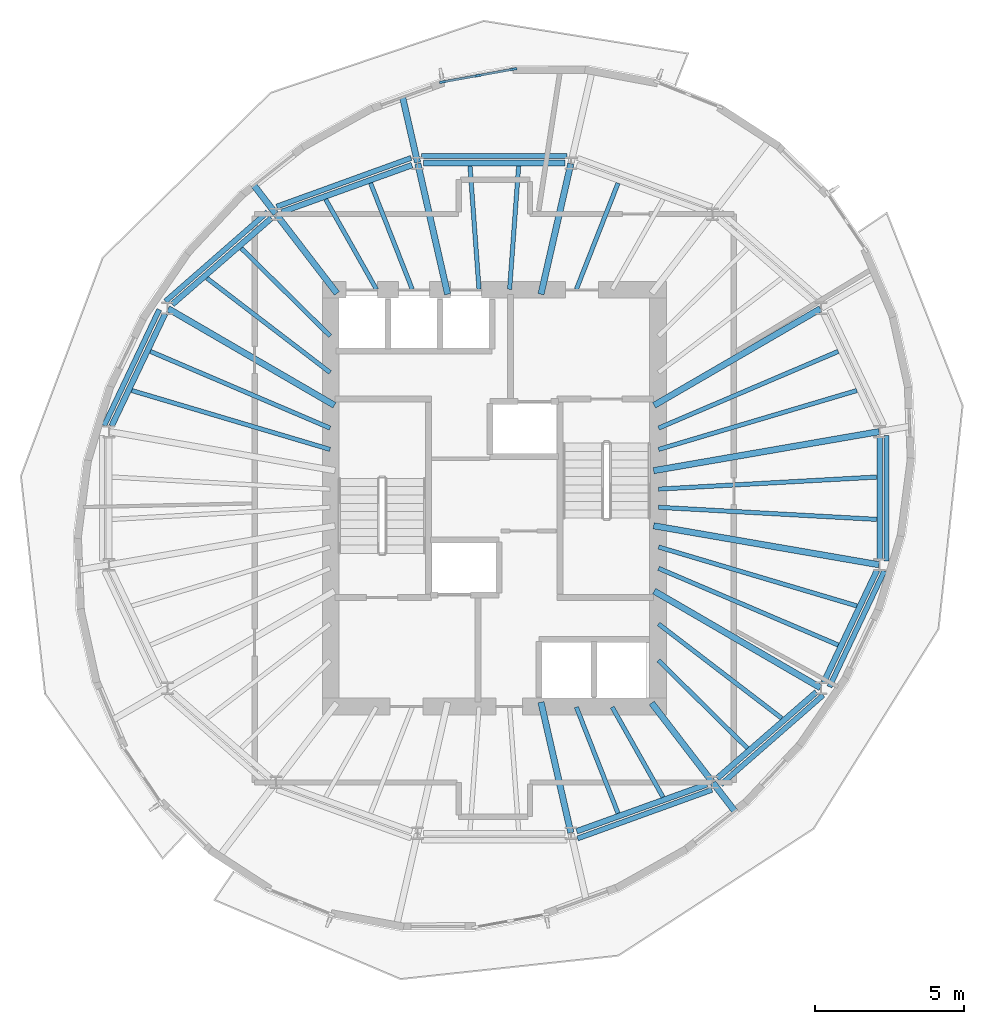
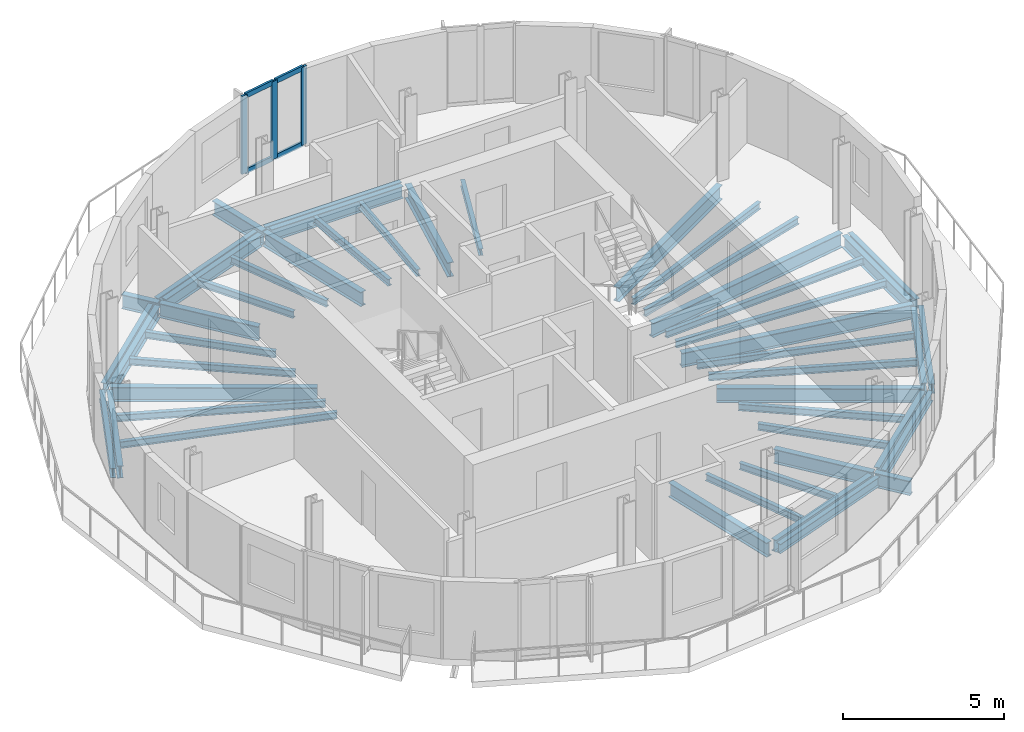
# One storey, part 2 of 9: 48 beams, 7 members, 1 element without a shape of its own.
"""IFC4 building model written with IfcOpenShell, lengths in metres."""

from ifc_helpers import new_model, si_unit, direction, frame, origin, origin_2d, place, context, subcontext, project, spatial, rectangle, i_section, extrude, material, material_profile, profile_set, type_object, element, aggregate, save


model = new_model("IFC4")

# Units and contexts
model_context = context("Model", 3, precision=1e-05, world=origin(), true_north=direction((0.0, 1.0)))
body_context = subcontext(model_context, "Body", "Model", "MODEL_VIEW")
ifc_project = project(units=[si_unit("LENGTHUNIT", "METRE"), si_unit("AREAUNIT", "SQUARE_METRE"), si_unit("VOLUMEUNIT", "CUBIC_METRE"), si_unit("PLANEANGLEUNIT", "RADIAN"), si_unit("MASSUNIT", "GRAM", prefix="KILO")], contexts=[model_context])

# Site, building, storey
site_placement = place(None, origin())
site = spatial("IfcSite", under=ifc_project, at=site_placement, CompositionType="ELEMENT")
building_placement = place(site_placement, origin())
building = spatial("IfcBuilding", under=site, at=building_placement, Name="Veldorim Arch Residences", CompositionType="ELEMENT")
storey_placement = place(building_placement, frame((0.0, 0.0, 204.639892578125)))
storey = spatial("IfcBuildingStorey", under=building, at=storey_placement, Name="L61", CompositionType="ELEMENT", Elevation=204.639892578125)

# Curtain wall, members
ifc_material_1 = material(Name="Aluminium", Category="aluminium")
curtain_wall_type = type_object("IfcCurtainWallType", Name="Sky Lounge & Conservatory Tall Curtain Wall", PredefinedType="NOTDEFINED", material=ifc_material_1)
curtain_wall_placement = place(storey_placement, origin())
curtain_wall = element("IfcCurtainWall", 1, at=curtain_wall_placement, inside=storey, type_object=curtain_wall_type, Name="L61 unitised curtain wall bay 05", PredefinedType="NOTDEFINED")
ifc_material_2 = material(Name="Aluminium", Category="aluminium")
ifc_material_profile_1 = material_profile(ifc_material_2, rectangle(XDim=0.080078125, YDim=0.219970703125, at=origin_2d()), Name="ALU_MUL_80x220")
ifc_profile_set_1 = profile_set([ifc_material_profile_1], Name="Aluminium")
member_type_1 = type_object("IfcMemberType", Name="Sky Lounge & Conservatory Tall Curtain Wall Mullion 80x220", PredefinedType="MULLION", material=ifc_profile_set_1)
member_1_placement = place(storey_placement, frame((30.263916015625, 37.985595703125, 0.0), z_axis=(0.0, 0.0, 1.0), x_axis=(-0.177682530469, 0.984087861101, 0.0)))
member_1 = element("IfcMember", 2, at=member_1_placement, type_object=member_type_1, Name="CW-SKY mullion 1", PredefinedType="MULLION", context=body_context, shape_type="SweptSolid", body=[
    extrude(rectangle(XDim=0.080078125, YDim=0.219970703125, at=origin_2d()), origin(), (0.0, 0.0, 1.0), 2.960205078125),
])
member_2_placement = place(storey_placement, frame((31.455810546875, 38.20068359375, 0.0), z_axis=(0.0, 0.0, 1.0), x_axis=(-0.177682530469, 0.984087861101, 0.0)))
member_2 = element("IfcMember", 3, at=member_2_placement, type_object=member_type_1, Name="CW-SKY mullion 2", PredefinedType="MULLION", context=body_context, shape_type="SweptSolid", body=[
    extrude(rectangle(XDim=0.080078125, YDim=0.219970703125, at=origin_2d()), origin(), (0.0, 0.0, 1.0), 2.960205078125),
])
member_3_placement = place(storey_placement, frame((32.6474609375, 38.415771484375, 0.0), z_axis=(0.0, 0.0, 1.0), x_axis=(-0.177682530469, 0.984087861101, 0.0)))
member_3 = element("IfcMember", 4, at=member_3_placement, type_object=member_type_1, Name="CW-SKY mullion 3", PredefinedType="MULLION", context=body_context, shape_type="SweptSolid", body=[
    extrude(rectangle(XDim=0.080078125, YDim=0.219970703125, at=origin_2d()), origin(), (0.0, 0.0, 1.0), 2.960205078125),
])
ifc_material_3 = material(Name="Aluminium", Category="aluminium")
ifc_material_profile_2 = material_profile(ifc_material_3, rectangle(XDim=0.080078125, YDim=0.18505859375, at=origin_2d()), Name="ALU_TRN_80x185")
ifc_profile_set_2 = profile_set([ifc_material_profile_2], Name="Aluminium")
member_type_2 = type_object("IfcMemberType", Name="Sky Lounge & Conservatory Tall Curtain Wall Transom 80x185", PredefinedType="USERDEFINED", material=ifc_profile_set_2)
member_4_placement = place(storey_placement, frame((30.30322265625, 37.99267578125, 0.0400390625), z_axis=(0.984093626993, 0.177650593335, 0.0), x_axis=(-0.177650593335, 0.984093626993, 0.0)))
member_4 = element("IfcMember", 5, at=member_4_placement, type_object=member_type_2, Name="CW-SKY transom 1.1", ObjectType="TRANSOM", PredefinedType="USERDEFINED", context=body_context, shape_type="SweptSolid", body=[
    extrude(rectangle(XDim=0.080078125, YDim=0.18505859375, at=origin_2d()), origin(), (0.0, 0.0, 1.0), 1.131103515625),
])
member_5_placement = place(storey_placement, frame((30.30322265625, 37.99267578125, 2.920166015625), z_axis=(0.984093626993, 0.177650593335, 0.0), x_axis=(-0.177650593335, 0.984093626993, 0.0)))
member_5 = element("IfcMember", 6, at=member_5_placement, type_object=member_type_2, Name="CW-SKY transom 1.2", ObjectType="TRANSOM", PredefinedType="USERDEFINED", context=body_context, shape_type="SweptSolid", body=[
    extrude(rectangle(XDim=0.080078125, YDim=0.18505859375, at=origin_2d()), origin(), (0.0, 0.0, 1.0), 1.131103515625),
])
member_6_placement = place(storey_placement, frame((31.4951171875, 38.207763671875, 0.0400390625), z_axis=(0.984093626993, 0.177650593335, 0.0), x_axis=(-0.177650593335, 0.984093626993, 0.0)))
member_6 = element("IfcMember", 7, at=member_6_placement, type_object=member_type_2, Name="CW-SKY transom 2.1", ObjectType="TRANSOM", PredefinedType="USERDEFINED", context=body_context, shape_type="SweptSolid", body=[
    extrude(rectangle(XDim=0.080078125, YDim=0.18505859375, at=origin_2d()), origin(), (0.0, 0.0, 1.0), 1.131103515625),
])
member_7_placement = place(storey_placement, frame((31.4951171875, 38.207763671875, 2.920166015625), z_axis=(0.984093626993, 0.177650593335, 0.0), x_axis=(-0.177650593335, 0.984093626993, 0.0)))
member_7 = element("IfcMember", 8, at=member_7_placement, type_object=member_type_2, Name="CW-SKY transom 2.2", ObjectType="TRANSOM", PredefinedType="USERDEFINED", context=body_context, shape_type="SweptSolid", body=[
    extrude(rectangle(XDim=0.080078125, YDim=0.18505859375, at=origin_2d()), origin(), (0.0, 0.0, 1.0), 1.131103515625),
])
aggregate(curtain_wall, [member_1, member_2, member_3, member_4, member_5, member_6, member_7])

# Beams
ifc_material_4 = material(Name="Steel S355", Category="steel")
ifc_material_profile_3 = material_profile(ifc_material_4, i_section(OverallWidth=0.2119140625, OverallDepth=0.54443359375, WebThickness=0.0126953125, FlangeThickness=0.021240234375, at=origin_2d()), Name="UB533x210x122")
ifc_profile_set_3 = profile_set([ifc_material_profile_3], Name="Steel S355")
beam_type_1 = type_object("IfcBeamType", Name="Structural Steel Beam UB533x210x122", PredefinedType="BEAM", material=ifc_profile_set_3)
beam_1_placement = place(storey_placement, frame((37.352294921875, 24.92578125, -0.51220703125), z_axis=(0.985364974081, 0.170457818401, 0.0), x_axis=(-0.170457818401, 0.985364974081, 0.0)))
element("IfcBeam", 9, at=beam_1_placement, inside=storey, type_object=beam_type_1, Name="L61 radial floor girder 01", PredefinedType="BEAM", context=body_context, shape_type="SweptSolid", body=[
    extrude(i_section(OverallWidth=0.2119140625, OverallDepth=0.54443359375, WebThickness=0.0126953125, FlangeThickness=0.021240234375, at=origin_2d()), origin(), (0.0, 0.0, 1.0), 7.68701171875),
])
beam_2_placement = place(storey_placement, frame((37.370361328125, 27.12060546875, -0.51220703125), z_axis=(0.864595736304, 0.502468121142, 0.0), x_axis=(-0.502468121142, 0.864595736304, 0.0)))
element("IfcBeam", 10, at=beam_2_placement, inside=storey, type_object=beam_type_1, Name="L61 radial floor girder 02", PredefinedType="BEAM", context=body_context, shape_type="SweptSolid", body=[
    extrude(i_section(OverallWidth=0.2119140625, OverallDepth=0.54443359375, WebThickness=0.0126953125, FlangeThickness=0.021240234375, at=origin_2d()), origin(), (0.0, 0.0, 1.0), 6.462646484375),
])
for number, where, z_axis, x_axis, name in (
    (11, (33.567626953125, 30.853759765625, -0.51220703125), (0.222952976993, 0.97482920045, 0.0), (-0.97482920045, 0.222952976993, 0.0), "L61 radial floor girder 04"),
    (12, (30.432373046875, 30.853759765625, -0.51220703125), (-0.222952976993, 0.97482920045, 0.0), (-0.97482920045, -0.222952976993, 0.0), "L61 radial floor girder 05"),
):
    element("IfcBeam", number, at=place(storey_placement, frame(where, z_axis=z_axis, x_axis=x_axis)), inside=storey, type_object=beam_type_1, Name=name, PredefinedType="BEAM", context=body_context, shape_type="SweptSolid", body=[
        extrude(i_section(OverallWidth=0.2119140625, OverallDepth=0.54443359375, WebThickness=0.0126953125, FlangeThickness=0.021240234375, at=origin_2d()), origin(), (0.0, 0.0, 1.0), 4.49951171875),
    ])
beam_3_placement = place(storey_placement, frame((29.42041015625, 35.27880859375, -0.51220703125), z_axis=(-0.222959072594, 0.974827806306, 0.0), x_axis=(-0.974827806306, -0.222959072594, 0.0)))
element("IfcBeam", 13, at=beam_3_placement, inside=storey, type_object=beam_type_1, Name="L61 radial edge cantilever girder 05", PredefinedType="BEAM", context=body_context, shape_type="SweptSolid", body=[
    extrude(i_section(OverallWidth=0.2119140625, OverallDepth=0.54443359375, WebThickness=0.0126953125, FlangeThickness=0.021240234375, at=origin_2d()), origin(), (0.0, 0.0, 1.0), 2.27099609375),
])
beam_4_placement = place(storey_placement, frame((26.71337890625, 30.881103515625, -0.51220703125), z_axis=(-0.609258442308, 0.792971721108, 0.0), x_axis=(-0.792971721108, -0.609258442308, 0.0)))
element("IfcBeam", 14, at=beam_4_placement, inside=storey, type_object=beam_type_1, Name="L61 radial floor girder 06", PredefinedType="BEAM", context=body_context, shape_type="SweptSolid", body=[
    extrude(i_section(OverallWidth=0.2119140625, OverallDepth=0.54443359375, WebThickness=0.0126953125, FlangeThickness=0.021240234375, at=origin_2d()), origin(), (0.0, 0.0, 1.0), 3.339599609375),
])
beam_5_placement = place(storey_placement, frame((24.654296875, 33.561279296875, -0.51220703125), z_axis=(-0.609257087897, 0.792972761731, 0.0), x_axis=(-0.792972761731, -0.609257087897, 0.0)))
element("IfcBeam", 15, at=beam_5_placement, inside=storey, type_object=beam_type_1, Name="L61 radial edge cantilever girder 06", PredefinedType="BEAM", context=body_context, shape_type="SweptSolid", body=[
    extrude(i_section(OverallWidth=0.2119140625, OverallDepth=0.54443359375, WebThickness=0.0126953125, FlangeThickness=0.021240234375, at=origin_2d()), origin(), (0.0, 0.0, 1.0), 1.22265625),
])
beam_6_placement = place(storey_placement, frame((26.629638671875, 27.12060546875, -0.51220703125), z_axis=(-0.864595736304, 0.502468121142, 0.0), x_axis=(-0.502468121142, -0.864595736304, 0.0)))
element("IfcBeam", 16, at=beam_6_placement, inside=storey, type_object=beam_type_1, Name="L61 radial floor girder 07", PredefinedType="BEAM", context=body_context, shape_type="SweptSolid", body=[
    extrude(i_section(OverallWidth=0.2119140625, OverallDepth=0.54443359375, WebThickness=0.0126953125, FlangeThickness=0.021240234375, at=origin_2d()), origin(), (0.0, 0.0, 1.0), 6.462646484375),
])
beam_7_placement = place(storey_placement, frame((33.567626953125, 17.146240234375, -0.51220703125), z_axis=(0.222952976993, -0.97482920045, 0.0), x_axis=(0.97482920045, 0.222952976993, 0.0)))
element("IfcBeam", 17, at=beam_7_placement, inside=storey, type_object=beam_type_1, Name="L61 radial floor girder 13", PredefinedType="BEAM", context=body_context, shape_type="SweptSolid", body=[
    extrude(i_section(OverallWidth=0.2119140625, OverallDepth=0.54443359375, WebThickness=0.0126953125, FlangeThickness=0.021240234375, at=origin_2d()), origin(), (0.0, 0.0, 1.0), 4.49951171875),
])
beam_8_placement = place(storey_placement, frame((37.28662109375, 17.118896484375, -0.51220703125), z_axis=(0.609258442308, -0.792971721108, 0.0), x_axis=(0.792971721108, 0.609258442308, 0.0)))
element("IfcBeam", 18, at=beam_8_placement, inside=storey, type_object=beam_type_1, Name="L61 radial floor girder 14", PredefinedType="BEAM", context=body_context, shape_type="SweptSolid", body=[
    extrude(i_section(OverallWidth=0.2119140625, OverallDepth=0.54443359375, WebThickness=0.0126953125, FlangeThickness=0.021240234375, at=origin_2d()), origin(), (0.0, 0.0, 1.0), 3.339599609375),
])
beam_9_placement = place(storey_placement, frame((39.345703125, 14.438720703125, -0.51220703125), z_axis=(0.609257087897, -0.792972761731, 0.0), x_axis=(0.792972761731, 0.609257087897, 0.0)))
element("IfcBeam", 19, at=beam_9_placement, inside=storey, type_object=beam_type_1, Name="L61 radial edge cantilever girder 14", PredefinedType="BEAM", context=body_context, shape_type="SweptSolid", body=[
    extrude(i_section(OverallWidth=0.2119140625, OverallDepth=0.54443359375, WebThickness=0.0126953125, FlangeThickness=0.021240234375, at=origin_2d()), origin(), (0.0, 0.0, 1.0), 1.22265625),
])
beam_10_placement = place(storey_placement, frame((37.370361328125, 20.87939453125, -0.51220703125), z_axis=(0.864595736304, -0.502468121142, 0.0), x_axis=(0.502468121142, 0.864595736304, 0.0)))
element("IfcBeam", 20, at=beam_10_placement, inside=storey, type_object=beam_type_1, Name="L61 radial floor girder 15", PredefinedType="BEAM", context=body_context, shape_type="SweptSolid", body=[
    extrude(i_section(OverallWidth=0.2119140625, OverallDepth=0.54443359375, WebThickness=0.0126953125, FlangeThickness=0.021240234375, at=origin_2d()), origin(), (0.0, 0.0, 1.0), 6.462646484375),
])
beam_11_placement = place(storey_placement, frame((37.352294921875, 23.07421875, -0.51220703125), z_axis=(0.985364974081, -0.170457818401, 0.0), x_axis=(0.170457818401, 0.985364974081, 0.0)))
element("IfcBeam", 21, at=beam_11_placement, inside=storey, type_object=beam_type_1, Name="L61 radial floor girder 16", PredefinedType="BEAM", context=body_context, shape_type="SweptSolid", body=[
    extrude(i_section(OverallWidth=0.2119140625, OverallDepth=0.54443359375, WebThickness=0.0126953125, FlangeThickness=0.021240234375, at=origin_2d()), origin(), (0.0, 0.0, 1.0), 7.68701171875),
])
ifc_material_5 = material(Name="Steel S355", Category="steel")
ifc_material_profile_4 = material_profile(ifc_material_5, i_section(OverallWidth=0.146484375, OverallDepth=0.256103515625, WebThickness=0.00634765625, FlangeThickness=0.010986328125, at=origin_2d()), Name="UB254x146x37")
ifc_profile_set_4 = profile_set([ifc_material_profile_4], Name="Steel S355")
beam_type_2 = type_object("IfcBeamType", Name="Structural Steel Joist UB254x146x37", PredefinedType="JOIST", material=ifc_profile_set_4)
beam_12_placement = place(storey_placement, frame((37.519287109375, 25.639404296875, -0.367919921875), z_axis=(0.958594432792, 0.284774846889, 0.0), x_axis=(-0.284774846889, 0.958594432792, 0.0)))
element("IfcBeam", 22, at=beam_12_placement, inside=storey, type_object=beam_type_2, Name="L61 secondary radial floor joist 01-1", PredefinedType="JOIST", context=body_context, shape_type="SweptSolid", body=[
    extrude(i_section(OverallWidth=0.146484375, OverallDepth=0.256103515625, WebThickness=0.00634765625, FlangeThickness=0.010986328125, at=origin_2d()), origin(), (0.0, 0.0, 1.0), 6.949462890625),
])
beam_13_placement = place(storey_placement, frame((37.518310546875, 26.355712890625, -0.367919921875), z_axis=(0.919725161652, 0.392562895629, 0.0), x_axis=(-0.392562895629, 0.919725161652, 0.0)))
element("IfcBeam", 23, at=beam_13_placement, inside=storey, type_object=beam_type_2, Name="L61 secondary radial floor joist 01-2", PredefinedType="JOIST", context=body_context, shape_type="SweptSolid", body=[
    extrude(i_section(OverallWidth=0.146484375, OverallDepth=0.256103515625, WebThickness=0.00634765625, FlangeThickness=0.010986328125, at=origin_2d()), origin(), (0.0, 0.0, 1.0), 6.5625),
])
beam_14_placement = place(storey_placement, frame((34.75634765625, 31.0185546875, -0.367919921875), z_axis=(0.365581383042, 0.930779379001, 0.0), x_axis=(-0.930779379001, 0.365581383042, 0.0)))
element("IfcBeam", 24, at=beam_14_placement, inside=storey, type_object=beam_type_2, Name="L61 secondary radial floor joist 03-2", PredefinedType="JOIST", context=body_context, shape_type="SweptSolid", body=[
    extrude(i_section(OverallWidth=0.146484375, OverallDepth=0.256103515625, WebThickness=0.00634765625, FlangeThickness=0.010986328125, at=origin_2d()), origin(), (0.0, 0.0, 1.0), 3.83056640625),
])
for number, where, z_axis, x_axis, name in (
    (25, (32.513916015625, 31.02001953125, -0.367919921875), (0.072985625899, 0.997332992742, 0.0), (-0.997332992742, 0.072985625899, 0.0), "L61 secondary radial floor joist 04-1"),
    (26, (31.486083984375, 31.02001953125, -0.367919921875), (-0.072985625899, 0.997332992742, 0.0), (-0.997332992742, -0.072985625899, 0.0), "L61 secondary radial floor joist 04-2"),
):
    element("IfcBeam", number, at=place(storey_placement, frame(where, z_axis=z_axis, x_axis=x_axis)), inside=storey, type_object=beam_type_2, Name=name, PredefinedType="JOIST", context=body_context, shape_type="SweptSolid", body=[
        extrude(i_section(OverallWidth=0.146484375, OverallDepth=0.256103515625, WebThickness=0.00634765625, FlangeThickness=0.010986328125, at=origin_2d()), origin(), (0.0, 0.0, 1.0), 4.151123046875),
    ])
beam_15_placement = place(storey_placement, frame((29.24365234375, 31.0185546875, -0.367919921875), z_axis=(-0.365581383042, 0.930779379001, 0.0), x_axis=(-0.930779379001, -0.365581383042, 0.0)))
element("IfcBeam", 27, at=beam_15_placement, inside=storey, type_object=beam_type_2, Name="L61 secondary radial floor joist 05-1", PredefinedType="JOIST", context=body_context, shape_type="SweptSolid", body=[
    extrude(i_section(OverallWidth=0.146484375, OverallDepth=0.256103515625, WebThickness=0.00634765625, FlangeThickness=0.010986328125, at=origin_2d()), origin(), (0.0, 0.0, 1.0), 3.83056640625),
])
beam_16_placement = place(storey_placement, frame((28.039794921875, 31.017333984375, -0.367919921875), z_axis=(-0.491452469585, 0.870904397818, 0.0), x_axis=(-0.870904397818, -0.491452469585, 0.0)))
element("IfcBeam", 28, at=beam_16_placement, inside=storey, type_object=beam_type_2, Name="L61 secondary radial floor joist 05-2", PredefinedType="JOIST", context=body_context, shape_type="SweptSolid", body=[
    extrude(i_section(OverallWidth=0.146484375, OverallDepth=0.256103515625, WebThickness=0.00634765625, FlangeThickness=0.010986328125, at=origin_2d()), origin(), (0.0, 0.0, 1.0), 3.472412109375),
])
beam_17_placement = place(storey_placement, frame((26.48583984375, 29.44775390625, -0.367919921875), z_axis=(-0.711396725432, 0.702790650937, 0.0), x_axis=(-0.702790650937, -0.711396725432, 0.0)))
element("IfcBeam", 29, at=beam_17_placement, inside=storey, type_object=beam_type_2, Name="L61 secondary radial floor joist 06-1", PredefinedType="JOIST", context=body_context, shape_type="SweptSolid", body=[
    extrude(i_section(OverallWidth=0.146484375, OverallDepth=0.256103515625, WebThickness=0.00634765625, FlangeThickness=0.010986328125, at=origin_2d()), origin(), (0.0, 0.0, 1.0), 4.198486328125),
])
beam_18_placement = place(storey_placement, frame((26.484130859375, 28.222900390625, -0.367919921875), z_axis=(-0.794013672216, 0.607899899929, 0.0), x_axis=(-0.607899899929, -0.794013672216, 0.0)))
element("IfcBeam", 30, at=beam_18_placement, inside=storey, type_object=beam_type_2, Name="L61 secondary radial floor joist 06-2", PredefinedType="JOIST", context=body_context, shape_type="SweptSolid", body=[
    extrude(i_section(OverallWidth=0.146484375, OverallDepth=0.256103515625, WebThickness=0.00634765625, FlangeThickness=0.010986328125, at=origin_2d()), origin(), (0.0, 0.0, 1.0), 5.217041015625),
])
beam_19_placement = place(storey_placement, frame((26.481689453125, 26.355712890625, -0.367919921875), z_axis=(-0.919725161652, 0.392562895629, 0.0), x_axis=(-0.392562895629, -0.919725161652, 0.0)))
element("IfcBeam", 31, at=beam_19_placement, inside=storey, type_object=beam_type_2, Name="L61 secondary radial floor joist 07-1", PredefinedType="JOIST", context=body_context, shape_type="SweptSolid", body=[
    extrude(i_section(OverallWidth=0.146484375, OverallDepth=0.256103515625, WebThickness=0.00634765625, FlangeThickness=0.010986328125, at=origin_2d()), origin(), (0.0, 0.0, 1.0), 6.5625),
])
beam_20_placement = place(storey_placement, frame((26.480712890625, 25.639404296875, -0.367919921875), z_axis=(-0.958594432792, 0.284774846889, 0.0), x_axis=(-0.284774846889, -0.958594432792, 0.0)))
element("IfcBeam", 32, at=beam_20_placement, inside=storey, type_object=beam_type_2, Name="L61 secondary radial floor joist 07-2", PredefinedType="JOIST", context=body_context, shape_type="SweptSolid", body=[
    extrude(i_section(OverallWidth=0.146484375, OverallDepth=0.256103515625, WebThickness=0.00634765625, FlangeThickness=0.010986328125, at=origin_2d()), origin(), (0.0, 0.0, 1.0), 6.949462890625),
])
beam_21_placement = place(storey_placement, frame((34.75634765625, 16.9814453125, -0.367919921875), z_axis=(0.365581383042, -0.930779379001, 0.0), x_axis=(0.930779379001, 0.365581383042, 0.0)))
element("IfcBeam", 33, at=beam_21_placement, inside=storey, type_object=beam_type_2, Name="L61 secondary radial floor joist 13-1", PredefinedType="JOIST", context=body_context, shape_type="SweptSolid", body=[
    extrude(i_section(OverallWidth=0.146484375, OverallDepth=0.256103515625, WebThickness=0.00634765625, FlangeThickness=0.010986328125, at=origin_2d()), origin(), (0.0, 0.0, 1.0), 3.83056640625),
])
beam_22_placement = place(storey_placement, frame((35.960205078125, 16.982666015625, -0.367919921875), z_axis=(0.491452469585, -0.870904397818, 0.0), x_axis=(0.870904397818, 0.491452469585, 0.0)))
element("IfcBeam", 34, at=beam_22_placement, inside=storey, type_object=beam_type_2, Name="L61 secondary radial floor joist 13-2", PredefinedType="JOIST", context=body_context, shape_type="SweptSolid", body=[
    extrude(i_section(OverallWidth=0.146484375, OverallDepth=0.256103515625, WebThickness=0.00634765625, FlangeThickness=0.010986328125, at=origin_2d()), origin(), (0.0, 0.0, 1.0), 3.472412109375),
])
beam_23_placement = place(storey_placement, frame((37.51416015625, 18.55224609375, -0.367919921875), z_axis=(0.711396725432, -0.702790650937, 0.0), x_axis=(0.702790650937, 0.711396725432, 0.0)))
element("IfcBeam", 35, at=beam_23_placement, inside=storey, type_object=beam_type_2, Name="L61 secondary radial floor joist 14-1", PredefinedType="JOIST", context=body_context, shape_type="SweptSolid", body=[
    extrude(i_section(OverallWidth=0.146484375, OverallDepth=0.256103515625, WebThickness=0.00634765625, FlangeThickness=0.010986328125, at=origin_2d()), origin(), (0.0, 0.0, 1.0), 4.198486328125),
])
beam_24_placement = place(storey_placement, frame((37.515869140625, 19.777099609375, -0.367919921875), z_axis=(0.794013672216, -0.607899899929, 0.0), x_axis=(0.607899899929, 0.794013672216, 0.0)))
element("IfcBeam", 36, at=beam_24_placement, inside=storey, type_object=beam_type_2, Name="L61 secondary radial floor joist 14-2", PredefinedType="JOIST", context=body_context, shape_type="SweptSolid", body=[
    extrude(i_section(OverallWidth=0.146484375, OverallDepth=0.256103515625, WebThickness=0.00634765625, FlangeThickness=0.010986328125, at=origin_2d()), origin(), (0.0, 0.0, 1.0), 5.217041015625),
])
beam_25_placement = place(storey_placement, frame((37.518310546875, 21.644287109375, -0.367919921875), z_axis=(0.919725161652, -0.392562895629, 0.0), x_axis=(0.392562895629, 0.919725161652, 0.0)))
element("IfcBeam", 37, at=beam_25_placement, inside=storey, type_object=beam_type_2, Name="L61 secondary radial floor joist 15-1", PredefinedType="JOIST", context=body_context, shape_type="SweptSolid", body=[
    extrude(i_section(OverallWidth=0.146484375, OverallDepth=0.256103515625, WebThickness=0.00634765625, FlangeThickness=0.010986328125, at=origin_2d()), origin(), (0.0, 0.0, 1.0), 6.5625),
])
beam_26_placement = place(storey_placement, frame((37.519287109375, 22.360595703125, -0.367919921875), z_axis=(0.958594432792, -0.284774846889, 0.0), x_axis=(0.284774846889, 0.958594432792, 0.0)))
element("IfcBeam", 38, at=beam_26_placement, inside=storey, type_object=beam_type_2, Name="L61 secondary radial floor joist 15-2", PredefinedType="JOIST", context=body_context, shape_type="SweptSolid", body=[
    extrude(i_section(OverallWidth=0.146484375, OverallDepth=0.256103515625, WebThickness=0.00634765625, FlangeThickness=0.010986328125, at=origin_2d()), origin(), (0.0, 0.0, 1.0), 6.949462890625),
])
for number, where, z_axis, x_axis, name in (
    (39, (37.52001953125, 23.6943359375, -0.367919921875), (0.998472000884, -0.055259962464, 0.0), (0.055259962464, 0.998472000884, 0.0), "L61 secondary radial floor joist 16-1"),
    (40, (37.52001953125, 24.3056640625, -0.367919921875), (0.998472000884, 0.055259962464, 0.0), (-0.055259962464, 0.998472000884, 0.0), "L61 secondary radial floor joist 16-2"),
):
    element("IfcBeam", number, at=place(storey_placement, frame(where, z_axis=z_axis, x_axis=x_axis)), inside=storey, type_object=beam_type_2, Name=name, PredefinedType="JOIST", context=body_context, shape_type="SweptSolid", body=[
        extrude(i_section(OverallWidth=0.146484375, OverallDepth=0.256103515625, WebThickness=0.00634765625, FlangeThickness=0.010986328125, at=origin_2d()), origin(), (0.0, 0.0, 1.0), 7.33837890625),
    ])
ifc_material_6 = material(Name="Steel S355", Category="steel")
ifc_material_profile_5 = material_profile(ifc_material_6, i_section(OverallWidth=0.172119140625, OverallDepth=0.35791015625, WebThickness=0.008056640625, FlangeThickness=0.012939453125, at=origin_2d()), Name="UB356x171x57")
ifc_profile_set_5 = profile_set([ifc_material_profile_5], Name="Steel S355")
beam_type_3 = type_object("IfcBeamType", Name="Structural Steel Spandrel UB356x171x57", PredefinedType="SPANDREL", material=ifc_profile_set_5)
beam_27_placement = place(storey_placement, frame((34.44970703125, 35.493408203125, -0.43896484375), z_axis=(-1.0, 0.0, 0.0), x_axis=(0.0, -1.0, 0.0)))
element("IfcBeam", 41, at=beam_27_placement, inside=storey, type_object=beam_type_3, Name="L61 perimeter chord spandrel beam 04", PredefinedType="SPANDREL", context=body_context, shape_type="SweptSolid", body=[
    extrude(i_section(OverallWidth=0.172119140625, OverallDepth=0.35791015625, WebThickness=0.008056640625, FlangeThickness=0.012939453125, at=origin_2d()), origin(), (0.0, 0.0, 1.0), 4.8994140625),
])
beam_28_placement = place(storey_placement, frame((29.202880859375, 35.432373046875, -0.43896484375), z_axis=(-0.940178823137, -0.340681347486, 0.0), x_axis=(0.340681347486, -0.940178823137, 0.0)))
element("IfcBeam", 42, at=beam_28_placement, inside=storey, type_object=beam_type_3, Name="L61 perimeter chord spandrel beam 05", PredefinedType="SPANDREL", context=body_context, shape_type="SweptSolid", body=[
    extrude(i_section(OverallWidth=0.172119140625, OverallDepth=0.35791015625, WebThickness=0.008056640625, FlangeThickness=0.012939453125, at=origin_2d()), origin(), (0.0, 0.0, 1.0), 4.80126953125),
])
beam_29_placement = place(storey_placement, frame((24.385498046875, 33.617919921875, -0.43896484375), z_axis=(-0.752868439096, -0.658171036596, 0.0), x_axis=(0.658171036596, -0.752868439096, 0.0)))
element("IfcBeam", 43, at=beam_29_placement, inside=storey, type_object=beam_type_3, Name="L61 perimeter chord spandrel beam 06", PredefinedType="SPANDREL", context=body_context, shape_type="SweptSolid", body=[
    extrude(i_section(OverallWidth=0.172119140625, OverallDepth=0.35791015625, WebThickness=0.008056640625, FlangeThickness=0.012939453125, at=origin_2d()), origin(), (0.0, 0.0, 1.0), 4.560791015625),
])
beam_30_placement = place(storey_placement, frame((20.740478515625, 30.336669921875, -0.43896484375), z_axis=(-0.428468601304, -0.903556670994, 0.0), x_axis=(0.903556670994, -0.428468601304, 0.0)))
element("IfcBeam", 44, at=beam_30_placement, inside=storey, type_object=beam_type_3, Name="L61 perimeter chord spandrel beam 07", PredefinedType="SPANDREL", context=body_context, shape_type="SweptSolid", body=[
    extrude(i_section(OverallWidth=0.172119140625, OverallDepth=0.35791015625, WebThickness=0.008056640625, FlangeThickness=0.012939453125, at=origin_2d()), origin(), (0.0, 0.0, 1.0), 4.31005859375),
])
beam_31_placement = place(storey_placement, frame((34.797119140625, 12.567626953125, -0.43896484375), z_axis=(0.940178823137, 0.340681347486, 0.0), x_axis=(-0.340681347486, 0.940178823137, 0.0)))
element("IfcBeam", 45, at=beam_31_placement, inside=storey, type_object=beam_type_3, Name="L61 perimeter chord spandrel beam 13", PredefinedType="SPANDREL", context=body_context, shape_type="SweptSolid", body=[
    extrude(i_section(OverallWidth=0.172119140625, OverallDepth=0.35791015625, WebThickness=0.008056640625, FlangeThickness=0.012939453125, at=origin_2d()), origin(), (0.0, 0.0, 1.0), 4.80126953125),
])
beam_32_placement = place(storey_placement, frame((39.614501953125, 14.382080078125, -0.43896484375), z_axis=(0.752868439096, 0.658171036596, 0.0), x_axis=(-0.658171036596, 0.752868439096, 0.0)))
element("IfcBeam", 46, at=beam_32_placement, inside=storey, type_object=beam_type_3, Name="L61 perimeter chord spandrel beam 14", PredefinedType="SPANDREL", context=body_context, shape_type="SweptSolid", body=[
    extrude(i_section(OverallWidth=0.172119140625, OverallDepth=0.35791015625, WebThickness=0.008056640625, FlangeThickness=0.012939453125, at=origin_2d()), origin(), (0.0, 0.0, 1.0), 4.560791015625),
])
beam_33_placement = place(storey_placement, frame((43.259521484375, 17.663330078125, -0.43896484375), z_axis=(0.428468601304, 0.903556670994, 0.0), x_axis=(-0.903556670994, 0.428468601304, 0.0)))
element("IfcBeam", 47, at=beam_33_placement, inside=storey, type_object=beam_type_3, Name="L61 perimeter chord spandrel beam 15", PredefinedType="SPANDREL", context=body_context, shape_type="SweptSolid", body=[
    extrude(i_section(OverallWidth=0.172119140625, OverallDepth=0.35791015625, WebThickness=0.008056640625, FlangeThickness=0.012939453125, at=origin_2d()), origin(), (0.0, 0.0, 1.0), 4.31005859375),
])
beam_34_placement = place(storey_placement, frame((45.182861328125, 21.898681640625, -0.43896484375), z_axis=(0.0, 1.0, 0.0), x_axis=(-1.0, 0.0, 0.0)))
element("IfcBeam", 48, at=beam_34_placement, inside=storey, type_object=beam_type_3, Name="L61 perimeter chord spandrel beam 16", PredefinedType="SPANDREL", context=body_context, shape_type="SweptSolid", body=[
    extrude(i_section(OverallWidth=0.172119140625, OverallDepth=0.35791015625, WebThickness=0.008056640625, FlangeThickness=0.012939453125, at=origin_2d()), origin(), (0.0, 0.0, 1.0), 4.20263671875),
])
ifc_material_7 = material(Name="Steel S355", Category="steel")
ifc_material_profile_6 = material_profile(ifc_material_7, i_section(OverallWidth=0.19140625, OverallDepth=0.4599609375, WebThickness=0.010009765625, FlangeThickness=0.01611328125, at=origin_2d()), Name="UB457x191x82")
ifc_profile_set_6 = profile_set([ifc_material_profile_6], Name="Steel S355")
beam_type_4 = type_object("IfcBeamType", Name="Structural Steel Spandrel UB457x191x82", PredefinedType="SPANDREL", material=ifc_profile_set_6)
beam_35_placement = place(storey_placement, frame((34.37158203125, 35.259521484375, -0.469970703125), z_axis=(-1.0, 0.0, 0.0), x_axis=(0.0, -1.0, 0.0)))
element("IfcBeam", 49, at=beam_35_placement, inside=storey, type_object=beam_type_4, Name="L61 perimeter ring tie beam 04", PredefinedType="SPANDREL", context=body_context, shape_type="SweptSolid", body=[
    extrude(i_section(OverallWidth=0.19140625, OverallDepth=0.4599609375, WebThickness=0.010009765625, FlangeThickness=0.01611328125, at=origin_2d()), origin(), (0.0, 0.0, 1.0), 4.7431640625),
])
beam_36_placement = place(storey_placement, frame((29.2333984375, 35.1904296875, -0.469970703125), z_axis=(-0.940819134121, -0.338909068736, 0.0), x_axis=(0.338909068736, -0.940819134121, 0.0)))
element("IfcBeam", 50, at=beam_36_placement, inside=storey, type_object=beam_type_4, Name="L61 perimeter ring tie beam 05", PredefinedType="SPANDREL", context=body_context, shape_type="SweptSolid", body=[
    extrude(i_section(OverallWidth=0.19140625, OverallDepth=0.4599609375, WebThickness=0.010009765625, FlangeThickness=0.01611328125, at=origin_2d()), origin(), (0.0, 0.0, 1.0), 4.650634765625),
])
beam_37_placement = place(storey_placement, frame((24.512939453125, 33.411865234375, -0.469970703125), z_axis=(-0.754534162517, -0.656260769508, 0.0), x_axis=(0.656260769508, -0.754534162517, 0.0)))
element("IfcBeam", 51, at=beam_37_placement, inside=storey, type_object=beam_type_4, Name="L61 perimeter ring tie beam 06", PredefinedType="SPANDREL", context=body_context, shape_type="SweptSolid", body=[
    extrude(i_section(OverallWidth=0.19140625, OverallDepth=0.4599609375, WebThickness=0.010009765625, FlangeThickness=0.01611328125, at=origin_2d()), origin(), (0.0, 0.0, 1.0), 4.419677734375),
])
beam_38_placement = place(storey_placement, frame((20.93701171875, 30.194091796875, -0.469970703125), z_axis=(-0.429992574394, -0.902832424078, 0.0), x_axis=(0.902832424078, -0.429992574394, 0.0)))
element("IfcBeam", 52, at=beam_38_placement, inside=storey, type_object=beam_type_4, Name="L61 perimeter ring tie beam 07", PredefinedType="SPANDREL", context=body_context, shape_type="SweptSolid", body=[
    extrude(i_section(OverallWidth=0.19140625, OverallDepth=0.4599609375, WebThickness=0.010009765625, FlangeThickness=0.01611328125, at=origin_2d()), origin(), (0.0, 0.0, 1.0), 4.176513671875),
])
beam_39_placement = place(storey_placement, frame((34.7666015625, 12.8095703125, -0.469970703125), z_axis=(0.940819134121, 0.338909068736, 0.0), x_axis=(-0.338909068736, 0.940819134121, 0.0)))
element("IfcBeam", 53, at=beam_39_placement, inside=storey, type_object=beam_type_4, Name="L61 perimeter ring tie beam 13", PredefinedType="SPANDREL", context=body_context, shape_type="SweptSolid", body=[
    extrude(i_section(OverallWidth=0.19140625, OverallDepth=0.4599609375, WebThickness=0.010009765625, FlangeThickness=0.01611328125, at=origin_2d()), origin(), (0.0, 0.0, 1.0), 4.650634765625),
])
beam_40_placement = place(storey_placement, frame((39.487060546875, 14.588134765625, -0.469970703125), z_axis=(0.754534162517, 0.656260769508, 0.0), x_axis=(-0.656260769508, 0.754534162517, 0.0)))
element("IfcBeam", 54, at=beam_40_placement, inside=storey, type_object=beam_type_4, Name="L61 perimeter ring tie beam 14", PredefinedType="SPANDREL", context=body_context, shape_type="SweptSolid", body=[
    extrude(i_section(OverallWidth=0.19140625, OverallDepth=0.4599609375, WebThickness=0.010009765625, FlangeThickness=0.01611328125, at=origin_2d()), origin(), (0.0, 0.0, 1.0), 4.419677734375),
])
beam_41_placement = place(storey_placement, frame((43.06298828125, 17.805908203125, -0.469970703125), z_axis=(0.429992574394, 0.902832424078, 0.0), x_axis=(-0.902832424078, 0.429992574394, 0.0)))
element("IfcBeam", 55, at=beam_41_placement, inside=storey, type_object=beam_type_4, Name="L61 perimeter ring tie beam 15", PredefinedType="SPANDREL", context=body_context, shape_type="SweptSolid", body=[
    extrude(i_section(OverallWidth=0.19140625, OverallDepth=0.4599609375, WebThickness=0.010009765625, FlangeThickness=0.01611328125, at=origin_2d()), origin(), (0.0, 0.0, 1.0), 4.176513671875),
])
beam_42_placement = place(storey_placement, frame((44.9462890625, 21.9638671875, -0.469970703125), z_axis=(0.0, 1.0, 0.0), x_axis=(-1.0, 0.0, 0.0)))
element("IfcBeam", 56, at=beam_42_placement, inside=storey, type_object=beam_type_4, Name="L61 perimeter ring tie beam 16", PredefinedType="SPANDREL", context=body_context, shape_type="SweptSolid", body=[
    extrude(i_section(OverallWidth=0.19140625, OverallDepth=0.4599609375, WebThickness=0.010009765625, FlangeThickness=0.01611328125, at=origin_2d()), origin(), (0.0, 0.0, 1.0), 4.072265625),
])

save(model, "model.ifc")
